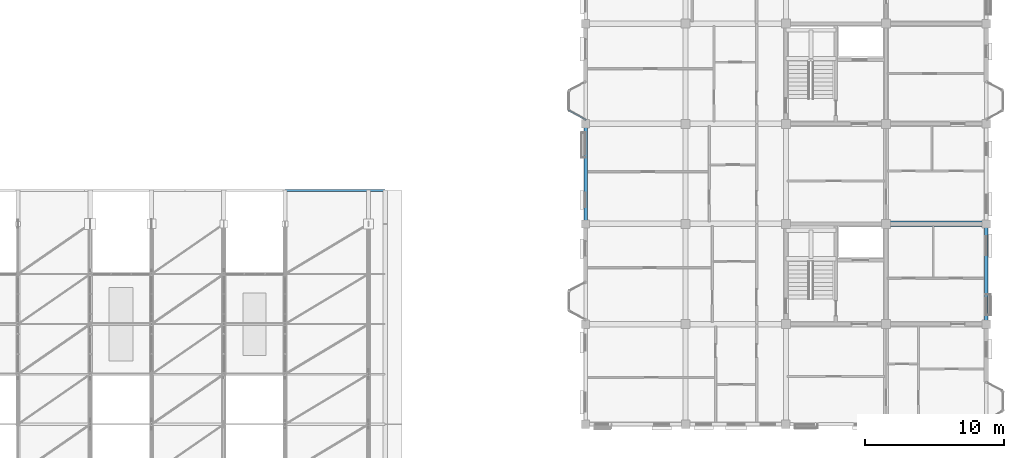
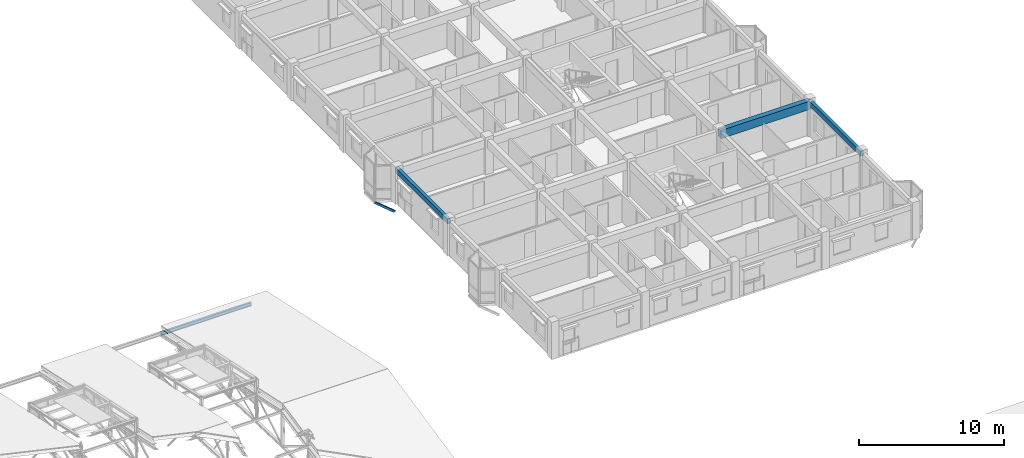
# One storey, part 51 of 124: 4 beams, 1 member.
"""IFC4 building model written with IfcOpenShell, lengths in metres."""

import ifcopenshell
import ifcopenshell.guid

model = None  # the IFC model being written
_history = None  # IfcOwnerHistory: only IFC2X3 demands one
_inside = {}  # id of a spatial element -> (the spatial element, [elements in it])
_under = {}  # id of a project, library or spatial element -> (it, [spatial elements below it])
_declared = {}  # id of a project -> (the project, [libraries it declares])
_typed = {}  # id of a type object -> (the type object, [elements of that type])
_made_of = {}  # id of a material, layer set ... -> (it, [elements and type objects made of it])


def new_model(schema):
    """Start an empty IFC model of exactly this schema.

    Asked for "IFC4X3", IfcOpenShell would pick the latest addendum, in which some entities
    have other attributes; the version numbers below select the first issue.
    IFC2X3 requires an IfcOwnerHistory on every rooted entity: one is made here for all.
    """
    global model, _history
    if schema == "IFC4X3":
        model = ifcopenshell.file(schema_version=(4, 3, 0, 0))
    else:
        model = ifcopenshell.file(schema=schema)
    _inside.clear()
    _under.clear()
    _declared.clear()
    _typed.clear()
    _made_of.clear()
    _history = None
    if model.schema == "IFC2X3":
        org = make("IfcOrganization", Name="unknown")
        user = make(
            "IfcPersonAndOrganization",
            ThePerson=make("IfcPerson", FamilyName="unknown"),
            TheOrganization=org,
        )
        app = make(
            "IfcApplication",
            ApplicationDeveloper=org,
            Version="unknown",
            ApplicationFullName="unknown",
            ApplicationIdentifier="unknown",
        )
        _history = make(
            "IfcOwnerHistory",
            OwningUser=user,
            OwningApplication=app,
            ChangeAction="ADDED",
            CreationDate=0,
        )
    return model


def make(cls, **values):
    """One entity of the class cls with the attributes given. An attribute that is None is left unset."""
    return model.create_entity(
        cls, **{name: value for name, value in values.items() if value is not None}
    )


def rooted(cls, **values):
    """An entity with a GlobalId (a new one), such as an element, a storey or a relation."""
    return make(cls, GlobalId=ifcopenshell.guid.new(), OwnerHistory=_history, **values)


def si_unit(unit_type, name, prefix=None):
    """IfcSIUnit, for example si_unit("LENGTHUNIT", "METRE", prefix="MILLI")."""
    return make("IfcSIUnit", UnitType=unit_type, Prefix=prefix, Name=name)


def assignment(units):
    """IfcUnitAssignment: the units of a project."""
    return None if units is None else make("IfcUnitAssignment", Units=units)


def point(xyz):
    """IfcCartesianPoint."""
    return None if xyz is None else make("IfcCartesianPoint", Coordinates=xyz)


def direction(xyz):
    """IfcDirection."""
    return None if xyz is None else make("IfcDirection", DirectionRatios=xyz)


def frame(location, z_axis=None, x_axis=None):
    """IfcAxis2Placement3D, a coordinate frame: its origin and axes. An axis left out is left unset."""
    return make(
        "IfcAxis2Placement3D",
        Location=point(location),
        Axis=direction(z_axis),
        RefDirection=direction(x_axis),
    )


def frame_2d(location, x_axis=None):
    """IfcAxis2Placement2D, a coordinate frame in the plane: its origin and x axis."""
    return make(
        "IfcAxis2Placement2D", Location=point(location), RefDirection=direction(x_axis)
    )


def origin():
    """The frame at (0, 0, 0) with its axes left unset."""
    return frame((0.0, 0.0, 0.0))


def origin_2d():
    """The frame at (0, 0) in the plane with its x axis left unset."""
    return frame_2d((0.0, 0.0))


def place(relative_to, where):
    """IfcLocalPlacement: puts the frame where relative to a parent placement (None: the world)."""
    return make(
        "IfcLocalPlacement", PlacementRelTo=relative_to, RelativePlacement=where
    )


def context(
    kind, dimensions, precision=None, world=None, true_north=None, identifier=None
):
    """IfcGeometricRepresentationContext, for example the 3D "Model" context."""
    return make(
        "IfcGeometricRepresentationContext",
        ContextIdentifier=identifier,
        ContextType=kind,
        CoordinateSpaceDimension=dimensions,
        Precision=precision,
        WorldCoordinateSystem=world,
        TrueNorth=true_north,
    )


def subcontext(parent, identifier, kind, view, scale=None):
    """IfcGeometricRepresentationSubContext, for example "Body" below "Model"."""
    return make(
        "IfcGeometricRepresentationSubContext",
        ContextIdentifier=identifier,
        ContextType=kind,
        ParentContext=parent,
        TargetScale=scale,
        TargetView=view,
    )


def project(units=None, contexts=None):
    """IfcProject with its units and contexts."""
    return rooted(
        "IfcProject",
        Name="project",
        RepresentationContexts=contexts,
        UnitsInContext=assignment(units),
    )


def spatial(cls, under=None, at=None, **own):
    """A site, building, storey or space (cls), placed at a placement, below another one or the project."""
    s = rooted(cls, ObjectPlacement=at, **own)
    if under is not None:
        _under.setdefault(under.id(), (under, []))[1].append(s)
    return s


def profile(cls, at=None, kind="AREA", **sizes):
    """A parametric profile (cls). Its sizes go by their IFC names, for example OverallWidth=200.0."""
    return make(cls, ProfileType=kind, Position=at, **sizes)


def rectangle(**sizes):
    """IfcRectangleProfileDef."""
    return profile("IfcRectangleProfileDef", **sizes)


def hollow_rectangle(**sizes):
    """IfcRectangleHollowProfileDef."""
    return profile("IfcRectangleHollowProfileDef", **sizes)


def i_section(**sizes):
    """IfcIShapeProfileDef."""
    return profile("IfcIShapeProfileDef", **sizes)


def extrude(swept, where, along, depth):
    """IfcExtrudedAreaSolid: the profile swept, set in the frame where, extruded along a direction by depth."""
    return make(
        "IfcExtrudedAreaSolid",
        SweptArea=swept,
        Position=where,
        ExtrudedDirection=direction(along),
        Depth=depth,
    )


def shape(context_of_items, identifier, shape_type, items):
    """IfcShapeRepresentation: the items that make up one representation, for example the "Body"."""
    return make(
        "IfcShapeRepresentation",
        ContextOfItems=context_of_items,
        RepresentationIdentifier=identifier,
        RepresentationType=shape_type,
        Items=items,
    )


def material(Name=None, Category=None):
    """IfcMaterial."""
    return make("IfcMaterial", Name=Name, Category=Category)


def material_profile(
    of_material, cross_section, Name=None, Category=None, Priority=None
):
    """IfcMaterialProfile: a cross section and its material."""
    return make(
        "IfcMaterialProfile",
        Name=Name,
        Material=of_material,
        Profile=cross_section,
        Priority=Priority,
        Category=Category,
    )


def profile_set(profiles, Name=None, composite=None):
    """IfcMaterialProfileSet."""
    return make(
        "IfcMaterialProfileSet",
        Name=Name,
        MaterialProfiles=profiles,
        CompositeProfile=composite,
    )


def made_of(thing, what):
    """Note that an element or type object is made of a material, layer set ...; save() writes the relation."""
    if what is not None:
        _made_of.setdefault(what.id(), (what, []))[1].append(thing)
    return thing


def type_object(cls, material=None, **own):
    """A type object (cls), such as IfcWallType, which elements share."""
    return made_of(rooted(cls, **own), material)


def element(
    cls,
    number,
    at=None,
    inside=None,
    cuts=None,
    type_object=None,
    material=None,
    context=None,
    identifier="Body",
    shape_type=None,
    held_by="IfcProductDefinitionShape",
    body=None,
    shapes=None,
    **own,
):
    """One element of the class cls, such as IfcWall. Its Tag is "e" and its number.

    at: its placement. inside: the storey or other place that contains it. cuts: it is an
    opening in that element (IfcRelVoidsElement). A single representation is given by context,
    identifier, shape_type and body (its items); several are given by shapes. held_by: the class
    of the entity that holds the representations. save() writes the other relations.
    """
    e = rooted(cls, Tag="e%d" % number, ObjectPlacement=at, **own)
    if body is not None:
        shapes = [shape(context, identifier, shape_type, body)]
    if shapes is not None:
        e.Representation = make(held_by, Representations=shapes)
    if inside is not None:
        _inside.setdefault(inside.id(), (inside, []))[1].append(e)
    if cuts is not None:
        rooted(
            "IfcRelVoidsElement", RelatingBuildingElement=cuts, RelatedOpeningElement=e
        )
    if type_object is not None:
        _typed.setdefault(type_object.id(), (type_object, []))[1].append(e)
    return made_of(e, material)


def aggregate(whole, parts):
    """IfcRelAggregates: a whole, such as a stair, and the parts it consists of."""
    return rooted("IfcRelAggregates", RelatingObject=whole, RelatedObjects=parts)


def save(model, path):
    """Write the relations noted so far, then the file.

    IfcRelAggregates (storeys below a building ...), IfcRelContainedInSpatialStructure (elements
    in a storey), IfcRelDefinesByType, IfcRelAssociatesMaterial and IfcRelDeclares: one each for
    every whole, place, type object, material and project.
    """
    for whole, parts in _under.values():
        aggregate(whole, parts)
    for where, things in _inside.values():
        rooted(
            "IfcRelContainedInSpatialStructure",
            RelatedElements=things,
            RelatingStructure=where,
        )
    for kind, things in _typed.values():
        rooted("IfcRelDefinesByType", RelatedObjects=things, RelatingType=kind)
    for what, things in _made_of.values():
        rooted("IfcRelAssociatesMaterial", RelatedObjects=things, RelatingMaterial=what)
    for by, libraries in _declared.values():
        rooted("IfcRelDeclares", RelatingContext=by, RelatedDefinitions=libraries)
    model.write(path)


model = new_model("IFC4")

# Units and contexts
model_context = context("Model", 3, precision=1e-05, world=origin(), true_north=direction((0.0, 1.0)))
body_context = subcontext(model_context, "Body", "Model", "MODEL_VIEW")
ifc_project = project(units=[si_unit("LENGTHUNIT", "METRE"), si_unit("AREAUNIT", "SQUARE_METRE"), si_unit("VOLUMEUNIT", "CUBIC_METRE"), si_unit("PLANEANGLEUNIT", "RADIAN"), si_unit("MASSUNIT", "GRAM", prefix="KILO"), si_unit("THERMODYNAMICTEMPERATUREUNIT", "KELVIN"), si_unit("POWERUNIT", "WATT")], contexts=[model_context])

# Site, building, storey
site_placement = place(None, origin())
site = spatial("IfcSite", under=ifc_project, at=site_placement, CompositionType="ELEMENT")
building_placement = place(site_placement, origin())
building = spatial("IfcBuilding", under=site, at=building_placement, Name="Tavuni Mirador Residences", CompositionType="ELEMENT")
storey_placement = place(building_placement, frame((0.0, 0.0, 7.64990234375)))
storey = spatial("IfcBuildingStorey", under=building, at=storey_placement, Name="L02", CompositionType="ELEMENT", Elevation=7.64990234375)

# Beams
ifc_material_1 = material(Name="Precast concrete C40/50", Category="concrete")
ifc_material_profile_1 = material_profile(ifc_material_1, rectangle(XDim=0.39990234375, YDim=0.699951171875, at=origin_2d()), Name="PC 400x700", Category="concrete")
ifc_profile_set_1 = profile_set([ifc_material_profile_1], Name="Precast concrete C40/50")
beam_type_1 = type_object("IfcBeamType", Name="BT-B700", PredefinedType="BEAM", material=ifc_profile_set_1)
beam_1_placement = place(storey_placement, frame((111.60009765625, 100.800048828125, 2.5400390625), z_axis=(1.0, 0.0, 0.0), x_axis=(0.0, 1.0, 0.0)))
element("IfcBeam", 1, at=beam_1_placement, inside=storey, type_object=beam_type_1, Name="BMX-BLK-D-L02-03-02", PredefinedType="BEAM", context=body_context, shape_type="SweptSolid", body=[
    extrude(rectangle(XDim=0.39990234375, YDim=0.699951171875, at=origin_2d()), origin(), (0.0, 0.0, 1.0), 7.199951171875),
])
ifc_material_profile_2 = material_profile(ifc_material_1, rectangle(XDim=0.25, YDim=0.419921875, at=origin_2d()), Name="PC 250x420", Category="concrete")
ifc_profile_set_2 = profile_set([ifc_material_profile_2], Name="Precast concrete C40/50")
beam_type_2 = type_object("IfcBeamType", Name="BT-SP420", PredefinedType="SPANDREL", material=ifc_profile_set_2)
for number, where, z_axis, x_axis, name in (
    (2, (90.0, 100.800048828125, 2.68017578125), (0.0, 1.0, 0.0), (-1.0, 0.0, 0.0), "BMY-BLK-D-L02-00-02"),
    (3, (118.800048828125, 93.60009765625, 2.68017578125), (0.0, 1.0, 0.0), (-1.0, 0.0, 0.0), "BMY-BLK-D-L02-04-01"),
):
    element("IfcBeam", number, at=place(storey_placement, frame(where, z_axis=z_axis, x_axis=x_axis)), inside=storey, type_object=beam_type_2, Name=name, PredefinedType="SPANDREL", context=body_context, shape_type="SweptSolid", body=[
        extrude(rectangle(XDim=0.25, YDim=0.419921875, at=origin_2d()), origin(), (0.0, 0.0, 1.0), 7.199951171875),
    ])
ifc_material_2 = material(Name="Structural steel S355", Category="steel")
ifc_material_profile_3 = material_profile(ifc_material_2, i_section(OverallWidth=0.14990234375, OverallDepth=0.300048828125, WebThickness=0.007080078125, FlangeThickness=0.0107421875, FilletRadius=0.014892578125, at=origin_2d()), Name="IPE 300", Category="steel")
ifc_profile_set_3 = profile_set([ifc_material_profile_3], Name="Structural steel S355")
beam_type_3 = type_object("IfcBeamType", Name="BT-ST-IPE300", PredefinedType="BEAM", material=ifc_profile_set_3)
beam_2_placement = place(storey_placement, frame((68.39990234375, 103.199951171875, -0.6865234375), z_axis=(1.0, 0.0, 0.0), x_axis=(0.0, 1.0, 0.0)))
element("IfcBeam", 4, at=beam_2_placement, inside=storey, type_object=beam_type_3, Name="HALL-ERING-N-04", PredefinedType="BEAM", context=body_context, shape_type="SweptSolid", body=[
    extrude(i_section(OverallWidth=0.14990234375, OverallDepth=0.300048828125, WebThickness=0.007080078125, FlangeThickness=0.0107421875, FilletRadius=0.014892578125, at=origin_2d()), origin(), (0.0, 0.0, 1.0), 7.2001953125),
])

# Member
ifc_material_profile_4 = material_profile(ifc_material_2, hollow_rectangle(XDim=0.10009765625, YDim=0.179931640625, WallThickness=0.008056640625, at=origin_2d()), Name="RHS 180x100x8.0", Category="steel")
ifc_profile_set_4 = profile_set([ifc_material_profile_4], Name="Structural steel S355")
member_type = type_object("IfcMemberType", Name="MT-BR-RHS180", PredefinedType="BRACE", material=ifc_profile_set_4)
member_placement = place(storey_placement, frame((90.0, 108.300048828125, -1.0498046875), z_axis=(-0.75904589492, 0.417436633564, 0.499595823004), x_axis=(-0.481884531043, -0.876234728108, 0.0)))
element("IfcMember", 5, at=member_placement, inside=storey, type_object=member_type, Name="MBRK-MIR-D-W2-L02-1", PredefinedType="BRACE", context=body_context, shape_type="SweptSolid", body=[
    extrude(hollow_rectangle(XDim=0.10009765625, YDim=0.179931640625, WallThickness=0.008056640625, at=origin_2d()), origin(), (0.0, 0.0, 1.0), 1.580810546875),
])

save(model, "model.ifc")
